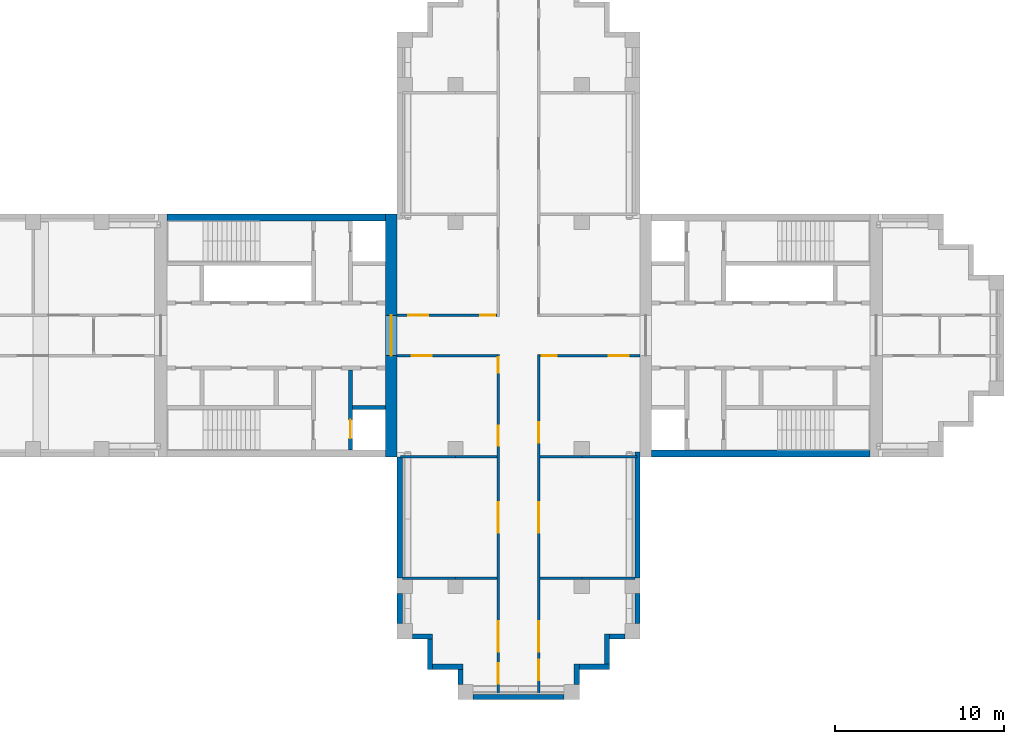
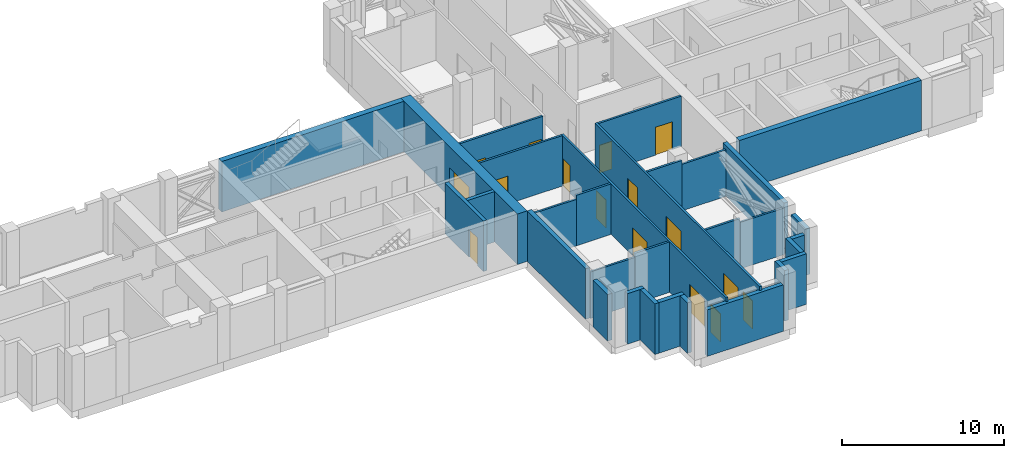
# One storey, part 4 of 8: 31 walls, 16 doors, 16 openings.
"""IFC4 building model written with IfcOpenShell, lengths in metres."""

from ifc_helpers import new_model, si_unit, direction, frame, frame_2d, origin, place, context, subcontext, project, spatial, rectangle, extrude, material, layer, layer_set, type_object, element, fill, save


model = new_model("IFC4")

# Units and contexts
model_context = context("Model", 3, precision=1e-05, world=origin(), true_north=direction((0.0, 1.0)))
body_context = subcontext(model_context, "Body", "Model", "MODEL_VIEW")
ifc_project = project(units=[si_unit("LENGTHUNIT", "METRE"), si_unit("AREAUNIT", "SQUARE_METRE"), si_unit("VOLUMEUNIT", "CUBIC_METRE"), si_unit("PLANEANGLEUNIT", "RADIAN"), si_unit("MASSUNIT", "GRAM", prefix="KILO")], contexts=[model_context])

# Site, building, storey
site_placement = place(None, origin())
site = spatial("IfcSite", under=ifc_project, at=site_placement, CompositionType="ELEMENT")
building_placement = place(site_placement, origin())
building = spatial("IfcBuilding", under=site, at=building_placement, Name="Fustian Cross Tower", CompositionType="ELEMENT")
storey_placement = place(building_placement, frame((0.0, 0.0, 194.699951171875)))
storey = spatial("IfcBuildingStorey", under=building, at=storey_placement, Name="L61", CompositionType="ELEMENT", Elevation=194.699951171875)

# Wall, opening, door
ifc_material_1 = material(Name="Plasterboard on steel stud", Category="steel")
ifc_layer_1 = layer(ifc_material_1, 0.14990234375)
ifc_layer_set_1 = layer_set([ifc_layer_1], Name="Plasterboard on steel stud")
wall_type_1 = type_object("IfcWallType", Name="COMPARTMENT WALL 150 EI 60", PredefinedType="PARTITIONING", material=ifc_layer_set_1)
wall_1_placement = place(storey_placement, frame((-7.199951171875, -1.199951171875, 0.0), z_axis=(0.0, 0.0, 1.0), x_axis=(1.0, 0.0, 0.0)))
wall_1 = element("IfcWall", 1, at=wall_1_placement, inside=storey, type_object=wall_type_1, Name="Partition 6", PredefinedType="PARTITIONING", context=body_context, shape_type="SweptSolid", body=[
    extrude(rectangle(XDim=5.925048828125, YDim=0.14990234375, at=frame_2d((2.96240234375, 0.0))), origin(), (0.0, 0.0, 1.0), 3.800048828125),
])
opening_1_placement = place(wall_1_placement, frame((0.85009765625, 0.0, 0.0)))
opening_1 = element("IfcOpeningElement", 2, at=opening_1_placement, cuts=wall_1, Name="Opening D28007", PredefinedType="OPENING", context=body_context, shape_type="SweptSolid", body=[
    extrude(rectangle(XDim=1.199951171875, YDim=2.10009765625, at=frame_2d((0.60009765625, 1.050048828125))), frame((0.0, 0.0849609375, 0.0), z_axis=(0.0, -1.0, 0.0), x_axis=(1.0, 0.0, 0.0)), (0.0, 0.0, 1.0), 0.169921875),
])
ifc_material_2 = material(Name="Timber fire door set", Category="wood")
door_type_1 = type_object("IfcDoorType", Name="FIRE SWING DOOR 1200 FD30S", OperationType="SINGLE_SWING_LEFT", PredefinedType="DOOR", material=ifc_material_2)
door_1_placement = place(opening_1_placement, frame((1.199951171875, 0.0, 0.0), z_axis=(0.0, 0.0, 1.0), x_axis=(-1.0, 0.0, 0.0)))
door_1 = element("IfcDoor", 3, at=door_1_placement, inside=storey, type_object=door_type_1, Name="Door D28007", OperationType="SINGLE_SWING_RIGHT", OverallHeight=2.10009765625, OverallWidth=1.199951171875, PredefinedType="DOOR", context=body_context, shape_type="SweptSolid", body=[
    extrude(rectangle(XDim=1.199951171875, YDim=2.10009765625, at=frame_2d((0.60009765625, 1.050048828125))), frame((0.0, 0.02490234375, 0.0), z_axis=(0.0, -1.0, 0.0), x_axis=(1.0, 0.0, 0.0)), (0.0, 0.0, 1.0), 0.050048828125),
])
fill(opening_1, door_1)

# Wall, openings, doors
wall_2_placement = place(storey_placement, frame((-7.199951171875, 1.199951171875, 0.0), z_axis=(0.0, 0.0, 1.0), x_axis=(1.0, 0.0, 0.0)))
wall_2 = element("IfcWall", 4, at=wall_2_placement, inside=storey, type_object=wall_type_1, Name="Partition 7", PredefinedType="PARTITIONING", context=body_context, shape_type="SweptSolid", body=[
    extrude(rectangle(XDim=5.925048828125, YDim=0.14990234375, at=frame_2d((2.96240234375, 0.0))), origin(), (0.0, 0.0, 1.0), 3.800048828125),
])
opening_2_placement = place(wall_2_placement, frame((0.64990234375, 0.0, 0.0)))
opening_2 = element("IfcOpeningElement", 5, at=opening_2_placement, cuts=wall_2, Name="Opening D28004", PredefinedType="OPENING", context=body_context, shape_type="SweptSolid", body=[
    extrude(rectangle(XDim=1.199951171875, YDim=2.10009765625, at=frame_2d((0.60009765625, 1.050048828125))), frame((0.0, 0.0849609375, 0.0), z_axis=(0.0, -1.0, 0.0), x_axis=(1.0, 0.0, 0.0)), (0.0, 0.0, 1.0), 0.169921875),
])
opening_3_placement = place(wall_2_placement, frame((4.925048828125, 0.0, 0.0)))
opening_3 = element("IfcOpeningElement", 6, at=opening_3_placement, cuts=wall_2, Name="Opening D28005", PredefinedType="OPENING", context=body_context, shape_type="SweptSolid", body=[
    extrude(rectangle(XDim=0.89990234375, YDim=2.10009765625, at=frame_2d((0.449951171875, 1.050048828125))), frame((0.0, 0.0849609375, 0.0), z_axis=(0.0, -1.0, 0.0), x_axis=(1.0, 0.0, 0.0)), (0.0, 0.0, 1.0), 0.169921875),
])
ifc_material_3 = material(Name="Timber fire door set", Category="wood")
door_type_2 = type_object("IfcDoorType", Name="FIRE SWING DOOR 1200 FD60S", OperationType="SINGLE_SWING_LEFT", PredefinedType="DOOR", material=ifc_material_3)
door_2_placement = place(opening_2_placement, frame((1.199951171875, 0.0, 0.0), z_axis=(0.0, 0.0, 1.0), x_axis=(-1.0, 0.0, 0.0)))
door_2 = element("IfcDoor", 7, at=door_2_placement, inside=storey, type_object=door_type_2, Name="Door D28004", OperationType="SINGLE_SWING_RIGHT", OverallHeight=2.10009765625, OverallWidth=1.199951171875, PredefinedType="DOOR", context=body_context, shape_type="SweptSolid", body=[
    extrude(rectangle(XDim=1.199951171875, YDim=2.10009765625, at=frame_2d((0.60009765625, 1.050048828125))), frame((0.0, 0.02490234375, 0.0), z_axis=(0.0, -1.0, 0.0), x_axis=(1.0, 0.0, 0.0)), (0.0, 0.0, 1.0), 0.050048828125),
])
fill(opening_2, door_2)
ifc_material_4 = material(Name="Timber fire door set", Category="wood")
door_type_3 = type_object("IfcDoorType", Name="FIRE SWING DOOR 900 FD30S", OperationType="SINGLE_SWING_LEFT", PredefinedType="DOOR", material=ifc_material_4)
door_3_placement = place(opening_3_placement, frame((0.89990234375, 0.0, 0.0), z_axis=(0.0, 0.0, 1.0), x_axis=(-1.0, 0.0, 0.0)))
door_3 = element("IfcDoor", 8, at=door_3_placement, inside=storey, type_object=door_type_3, Name="Door D28005", OperationType="SINGLE_SWING_RIGHT", OverallHeight=2.10009765625, OverallWidth=0.89990234375, PredefinedType="DOOR", context=body_context, shape_type="SweptSolid", body=[
    extrude(rectangle(XDim=0.89990234375, YDim=2.10009765625, at=frame_2d((0.449951171875, 1.050048828125))), frame((0.0, 0.02490234375, 0.0), z_axis=(0.0, -1.0, 0.0), x_axis=(1.0, 0.0, 0.0)), (0.0, 0.0, 1.0), 0.050048828125),
])
fill(opening_3, door_3)

# Walls
wall_3_placement = place(storey_placement, frame((-6.89990234375, -14.39990234375, 0.0), z_axis=(0.0, 0.0, 1.0), x_axis=(1.0, 0.0, 0.0)))
element("IfcWall", 9, at=wall_3_placement, inside=storey, type_object=wall_type_1, Name="Partition 8", PredefinedType="PARTITIONING", context=body_context, shape_type="SweptSolid", body=[
    extrude(rectangle(XDim=3.14990234375, YDim=0.14990234375, at=frame_2d((1.574951171875, 0.0))), origin(), (0.0, 0.0, 1.0), 3.5),
])
wall_4_placement = place(storey_placement, frame((-7.02001953125, -7.199951171875, 0.0), z_axis=(0.0, 0.0, 1.0), x_axis=(1.0, 0.0, 0.0)))
element("IfcWall", 10, at=wall_4_placement, inside=storey, type_object=wall_type_1, Name="Partition 9", PredefinedType="PARTITIONING", context=body_context, shape_type="SweptSolid", body=[
    extrude(rectangle(XDim=3.27001953125, YDim=0.14990234375, at=frame_2d((1.635009765625, 0.0))), origin(), (0.0, 0.0, 1.0), 3.5),
])

# Wall, openings, doors
wall_5_placement = place(storey_placement, frame((-1.199951171875, -21.419921875, 0.0), z_axis=(0.0, 0.0, 1.0), x_axis=(0.0, 1.0, 0.0)))
wall_5 = element("IfcWall", 11, at=wall_5_placement, inside=storey, type_object=wall_type_1, Name="Partition 12", PredefinedType="PARTITIONING", context=body_context, shape_type="SweptSolid", body=[
    extrude(rectangle(XDim=20.294921875, YDim=0.14990234375, at=frame_2d((10.1474609375, 0.0))), origin(), (0.0, 0.0, 1.0), 3.800048828125),
])
opening_4_placement = place(wall_5_placement, frame((14.8701171875, 0.0, 0.0)))
opening_4 = element("IfcOpeningElement", 12, at=opening_4_placement, cuts=wall_5, Name="Opening D28008", PredefinedType="OPENING", context=body_context, shape_type="SweptSolid", body=[
    extrude(rectangle(XDim=1.199951171875, YDim=2.10009765625, at=frame_2d((0.60009765625, 1.050048828125))), frame((0.0, 0.0849609375, 0.0), z_axis=(0.0, -1.0, 0.0), x_axis=(1.0, 0.0, 0.0)), (0.0, 0.0, 1.0), 0.169921875),
])
opening_5_placement = place(wall_5_placement, frame((19.219970703125, 0.0, 0.0)))
opening_5 = element("IfcOpeningElement", 13, at=opening_5_placement, cuts=wall_5, Name="Opening D28009", PredefinedType="OPENING", context=body_context, shape_type="SweptSolid", body=[
    extrude(rectangle(XDim=0.89990234375, YDim=2.10009765625, at=frame_2d((0.449951171875, 1.050048828125))), frame((0.0, 0.0849609375, 0.0), z_axis=(0.0, -1.0, 0.0), x_axis=(1.0, 0.0, 0.0)), (0.0, 0.0, 1.0), 0.169921875),
])
opening_6_placement = place(wall_5_placement, frame((9.719970703125, 0.0, 0.0)))
opening_6 = element("IfcOpeningElement", 14, at=opening_6_placement, cuts=wall_5, Name="Opening D28022", PredefinedType="OPENING", context=body_context, shape_type="SweptSolid", body=[
    extrude(rectangle(XDim=1.800048828125, YDim=2.10009765625, at=frame_2d((0.89990234375, 1.050048828125))), frame((0.0, 0.0849609375, 0.0), z_axis=(0.0, -1.0, 0.0), x_axis=(1.0, 0.0, 0.0)), (0.0, 0.0, 1.0), 0.169921875),
])
opening_7_placement = place(wall_5_placement, frame((0.77001953125, 0.0, 0.0)))
opening_7 = element("IfcOpeningElement", 15, at=opening_7_placement, cuts=wall_5, Name="Opening D28023", PredefinedType="OPENING", context=body_context, shape_type="SweptSolid", body=[
    extrude(rectangle(XDim=1.199951171875, YDim=2.10009765625, at=frame_2d((0.60009765625, 1.050048828125))), frame((0.0, 0.0849609375, 0.0), z_axis=(0.0, -1.0, 0.0), x_axis=(1.0, 0.0, 0.0)), (0.0, 0.0, 1.0), 0.169921875),
])
opening_8_placement = place(wall_5_placement, frame((2.669921875, 0.0, 0.0)))
opening_8 = element("IfcOpeningElement", 16, at=opening_8_placement, cuts=wall_5, Name="Opening D28024", PredefinedType="OPENING", context=body_context, shape_type="SweptSolid", body=[
    extrude(rectangle(XDim=1.800048828125, YDim=2.10009765625, at=frame_2d((0.89990234375, 1.050048828125))), frame((0.0, 0.0849609375, 0.0), z_axis=(0.0, -1.0, 0.0), x_axis=(1.0, 0.0, 0.0)), (0.0, 0.0, 1.0), 0.169921875),
])
ifc_material_5 = material(Name="Timber fire door set", Category="wood")
door_type_4 = type_object("IfcDoorType", Name="FIRE DOUBLE DOOR 1800 FD60S", OperationType="DOUBLE_DOOR_DOUBLE_SWING", PredefinedType="DOOR", material=ifc_material_5)
door_4_placement = place(opening_6_placement, frame((1.800048828125, 0.0, 0.0), z_axis=(0.0, 0.0, 1.0), x_axis=(-1.0, 0.0, 0.0)))
door_4 = element("IfcDoor", 17, at=door_4_placement, inside=storey, type_object=door_type_4, Name="Door D28022", OperationType="DOUBLE_DOOR_DOUBLE_SWING", OverallHeight=2.10009765625, OverallWidth=1.800048828125, PredefinedType="DOOR", context=body_context, shape_type="SweptSolid", body=[
    extrude(rectangle(XDim=1.800048828125, YDim=2.10009765625, at=frame_2d((0.89990234375, 1.050048828125))), frame((0.0, 0.02490234375, 0.0), z_axis=(0.0, -1.0, 0.0), x_axis=(1.0, 0.0, 0.0)), (0.0, 0.0, 1.0), 0.050048828125),
])
fill(opening_6, door_4)
door_5_placement = place(opening_8_placement, frame((1.800048828125, 0.0, 0.0), z_axis=(0.0, 0.0, 1.0), x_axis=(-1.0, 0.0, 0.0)))
door_5 = element("IfcDoor", 18, at=door_5_placement, inside=storey, type_object=door_type_4, Name="Door D28024", OperationType="DOUBLE_DOOR_DOUBLE_SWING", OverallHeight=2.10009765625, OverallWidth=1.800048828125, PredefinedType="DOOR", context=body_context, shape_type="SweptSolid", body=[
    extrude(rectangle(XDim=1.800048828125, YDim=2.10009765625, at=frame_2d((0.89990234375, 1.050048828125))), frame((0.0, 0.02490234375, 0.0), z_axis=(0.0, -1.0, 0.0), x_axis=(1.0, 0.0, 0.0)), (0.0, 0.0, 1.0), 0.050048828125),
])
fill(opening_8, door_5)
door_6_placement = place(opening_4_placement, origin())
door_6 = element("IfcDoor", 19, at=door_6_placement, inside=storey, type_object=door_type_1, Name="Door D28008", OperationType="SINGLE_SWING_LEFT", OverallHeight=2.10009765625, OverallWidth=1.199951171875, PredefinedType="DOOR", context=body_context, shape_type="SweptSolid", body=[
    extrude(rectangle(XDim=1.199951171875, YDim=2.10009765625, at=frame_2d((0.60009765625, 1.050048828125))), frame((0.0, 0.02490234375, 0.0), z_axis=(0.0, -1.0, 0.0), x_axis=(1.0, 0.0, 0.0)), (0.0, 0.0, 1.0), 0.050048828125),
])
fill(opening_4, door_6)
door_7_placement = place(opening_7_placement, origin())
door_7 = element("IfcDoor", 20, at=door_7_placement, inside=storey, type_object=door_type_2, Name="Door D28023", OperationType="SINGLE_SWING_LEFT", OverallHeight=2.10009765625, OverallWidth=1.199951171875, PredefinedType="DOOR", context=body_context, shape_type="SweptSolid", body=[
    extrude(rectangle(XDim=1.199951171875, YDim=2.10009765625, at=frame_2d((0.60009765625, 1.050048828125))), frame((0.0, 0.02490234375, 0.0), z_axis=(0.0, -1.0, 0.0), x_axis=(1.0, 0.0, 0.0)), (0.0, 0.0, 1.0), 0.050048828125),
])
fill(opening_7, door_7)
door_8_placement = place(opening_5_placement, origin())
door_8 = element("IfcDoor", 21, at=door_8_placement, inside=storey, type_object=door_type_3, Name="Door D28009", OperationType="SINGLE_SWING_RIGHT", OverallHeight=2.10009765625, OverallWidth=0.89990234375, PredefinedType="DOOR", context=body_context, shape_type="SweptSolid", body=[
    extrude(rectangle(XDim=0.89990234375, YDim=2.10009765625, at=frame_2d((0.449951171875, 1.050048828125))), frame((0.0, 0.02490234375, 0.0), z_axis=(0.0, -1.0, 0.0), x_axis=(1.0, 0.0, 0.0)), (0.0, 0.0, 1.0), 0.050048828125),
])
fill(opening_5, door_8)

wall_6_placement = place(storey_placement, frame((1.199951171875, -21.419921875, 0.0), z_axis=(0.0, 0.0, 1.0), x_axis=(0.0, 1.0, 0.0)))
wall_6 = element("IfcWall", 22, at=wall_6_placement, inside=storey, type_object=wall_type_1, Name="Partition 14", PredefinedType="PARTITIONING", context=body_context, shape_type="SweptSolid", body=[
    extrude(rectangle(XDim=20.294921875, YDim=0.14990234375, at=frame_2d((10.1474609375, 0.0))), origin(), (0.0, 0.0, 1.0), 3.800048828125),
])
opening_9_placement = place(wall_6_placement, frame((15.070068359375, 0.0, 0.0)))
opening_9 = element("IfcOpeningElement", 23, at=opening_9_placement, cuts=wall_6, Name="Opening D28010", PredefinedType="OPENING", context=body_context, shape_type="SweptSolid", body=[
    extrude(rectangle(XDim=1.199951171875, YDim=2.10009765625, at=frame_2d((0.60009765625, 1.050048828125))), frame((0.0, 0.0849609375, 0.0), z_axis=(0.0, -1.0, 0.0), x_axis=(1.0, 0.0, 0.0)), (0.0, 0.0, 1.0), 0.169921875),
])
opening_10_placement = place(wall_6_placement, frame((9.719970703125, 0.0, 0.0)))
opening_10 = element("IfcOpeningElement", 24, at=opening_10_placement, cuts=wall_6, Name="Opening D28019", PredefinedType="OPENING", context=body_context, shape_type="SweptSolid", body=[
    extrude(rectangle(XDim=1.800048828125, YDim=2.10009765625, at=frame_2d((0.89990234375, 1.050048828125))), frame((0.0, 0.0849609375, 0.0), z_axis=(0.0, -1.0, 0.0), x_axis=(1.0, 0.0, 0.0)), (0.0, 0.0, 1.0), 0.169921875),
])
opening_11_placement = place(wall_6_placement, frame((0.969970703125, 0.0, 0.0)))
opening_11 = element("IfcOpeningElement", 25, at=opening_11_placement, cuts=wall_6, Name="Opening D28020", PredefinedType="OPENING", context=body_context, shape_type="SweptSolid", body=[
    extrude(rectangle(XDim=1.199951171875, YDim=2.10009765625, at=frame_2d((0.60009765625, 1.050048828125))), frame((0.0, 0.0849609375, 0.0), z_axis=(0.0, -1.0, 0.0), x_axis=(1.0, 0.0, 0.0)), (0.0, 0.0, 1.0), 0.169921875),
])
opening_12_placement = place(wall_6_placement, frame((2.669921875, 0.0, 0.0)))
opening_12 = element("IfcOpeningElement", 26, at=opening_12_placement, cuts=wall_6, Name="Opening D28021", PredefinedType="OPENING", context=body_context, shape_type="SweptSolid", body=[
    extrude(rectangle(XDim=1.800048828125, YDim=2.10009765625, at=frame_2d((0.89990234375, 1.050048828125))), frame((0.0, 0.0849609375, 0.0), z_axis=(0.0, -1.0, 0.0), x_axis=(1.0, 0.0, 0.0)), (0.0, 0.0, 1.0), 0.169921875),
])
door_9_placement = place(opening_10_placement, origin())
door_9 = element("IfcDoor", 27, at=door_9_placement, inside=storey, type_object=door_type_4, Name="Door D28019", OperationType="DOUBLE_DOOR_DOUBLE_SWING", OverallHeight=2.10009765625, OverallWidth=1.800048828125, PredefinedType="DOOR", context=body_context, shape_type="SweptSolid", body=[
    extrude(rectangle(XDim=1.800048828125, YDim=2.10009765625, at=frame_2d((0.89990234375, 1.050048828125))), frame((0.0, 0.02490234375, 0.0), z_axis=(0.0, -1.0, 0.0), x_axis=(1.0, 0.0, 0.0)), (0.0, 0.0, 1.0), 0.050048828125),
])
fill(opening_10, door_9)
door_10_placement = place(opening_12_placement, origin())
door_10 = element("IfcDoor", 28, at=door_10_placement, inside=storey, type_object=door_type_4, Name="Door D28021", OperationType="DOUBLE_DOOR_DOUBLE_SWING", OverallHeight=2.10009765625, OverallWidth=1.800048828125, PredefinedType="DOOR", context=body_context, shape_type="SweptSolid", body=[
    extrude(rectangle(XDim=1.800048828125, YDim=2.10009765625, at=frame_2d((0.89990234375, 1.050048828125))), frame((0.0, 0.02490234375, 0.0), z_axis=(0.0, -1.0, 0.0), x_axis=(1.0, 0.0, 0.0)), (0.0, 0.0, 1.0), 0.050048828125),
])
fill(opening_12, door_10)
door_11_placement = place(opening_9_placement, origin())
door_11 = element("IfcDoor", 29, at=door_11_placement, inside=storey, type_object=door_type_2, Name="Door D28010", OperationType="SINGLE_SWING_LEFT", OverallHeight=2.10009765625, OverallWidth=1.199951171875, PredefinedType="DOOR", context=body_context, shape_type="SweptSolid", body=[
    extrude(rectangle(XDim=1.199951171875, YDim=2.10009765625, at=frame_2d((0.60009765625, 1.050048828125))), frame((0.0, 0.02490234375, 0.0), z_axis=(0.0, -1.0, 0.0), x_axis=(1.0, 0.0, 0.0)), (0.0, 0.0, 1.0), 0.050048828125),
])
fill(opening_9, door_11)
door_12_placement = place(opening_11_placement, origin())
door_12 = element("IfcDoor", 30, at=door_12_placement, inside=storey, type_object=door_type_2, Name="Door D28020", OperationType="SINGLE_SWING_LEFT", OverallHeight=2.10009765625, OverallWidth=1.199951171875, PredefinedType="DOOR", context=body_context, shape_type="SweptSolid", body=[
    extrude(rectangle(XDim=1.199951171875, YDim=2.10009765625, at=frame_2d((0.60009765625, 1.050048828125))), frame((0.0, 0.02490234375, 0.0), z_axis=(0.0, -1.0, 0.0), x_axis=(1.0, 0.0, 0.0)), (0.0, 0.0, 1.0), 0.050048828125),
])
fill(opening_11, door_12)

# Walls
for number, where, z_axis, x_axis, name in (
    (31, (1.27490234375, -14.39990234375, 0.0), (0.0, 0.0, 1.0), (1.0, 0.0, 0.0), "Partition 15"),
    (32, (1.27490234375, -7.199951171875, 0.0), (0.0, 0.0, 1.0), (1.0, 0.0, 0.0), "Partition 16"),
):
    element("IfcWall", number, at=place(storey_placement, frame(where, z_axis=z_axis, x_axis=x_axis)), inside=storey, type_object=wall_type_1, Name=name, PredefinedType="PARTITIONING", context=body_context, shape_type="SweptSolid", body=[
        extrude(rectangle(XDim=2.47509765625, YDim=0.14990234375, at=frame_2d((1.237548828125, 0.0))), origin(), (0.0, 0.0, 1.0), 3.800048828125),
    ])

# Wall, openings, doors
wall_7_placement = place(storey_placement, frame((1.27490234375, -1.199951171875, 0.0), z_axis=(0.0, 0.0, 1.0), x_axis=(1.0, 0.0, 0.0)))
wall_7 = element("IfcWall", 33, at=wall_7_placement, inside=storey, type_object=wall_type_1, Name="Partition 17", PredefinedType="PARTITIONING", context=body_context, shape_type="SweptSolid", body=[
    extrude(rectangle(XDim=5.925048828125, YDim=0.14990234375, at=frame_2d((2.96240234375, 0.0))), origin(), (0.0, 0.0, 1.0), 3.800048828125),
])
opening_13_placement = place(wall_7_placement, frame((0.10009765625, 0.0, 0.0)))
opening_13 = element("IfcOpeningElement", 34, at=opening_13_placement, cuts=wall_7, Name="Opening D28011", PredefinedType="OPENING", context=body_context, shape_type="SweptSolid", body=[
    extrude(rectangle(XDim=0.89990234375, YDim=2.10009765625, at=frame_2d((0.449951171875, 1.050048828125))), frame((0.0, 0.0849609375, 0.0), z_axis=(0.0, -1.0, 0.0), x_axis=(1.0, 0.0, 0.0)), (0.0, 0.0, 1.0), 0.169921875),
])
opening_14_placement = place(wall_7_placement, frame((4.074951171875, 0.0, 0.0)))
opening_14 = element("IfcOpeningElement", 35, at=opening_14_placement, cuts=wall_7, Name="Opening D28012", PredefinedType="OPENING", context=body_context, shape_type="SweptSolid", body=[
    extrude(rectangle(XDim=1.199951171875, YDim=2.10009765625, at=frame_2d((0.60009765625, 1.050048828125))), frame((0.0, 0.0849609375, 0.0), z_axis=(0.0, -1.0, 0.0), x_axis=(1.0, 0.0, 0.0)), (0.0, 0.0, 1.0), 0.169921875),
])
door_13_placement = place(opening_14_placement, frame((1.199951171875, 0.0, 0.0), z_axis=(0.0, 0.0, 1.0), x_axis=(-1.0, 0.0, 0.0)))
door_13 = element("IfcDoor", 36, at=door_13_placement, inside=storey, type_object=door_type_2, Name="Door D28012", OperationType="SINGLE_SWING_LEFT", OverallHeight=2.10009765625, OverallWidth=1.199951171875, PredefinedType="DOOR", context=body_context, shape_type="SweptSolid", body=[
    extrude(rectangle(XDim=1.199951171875, YDim=2.10009765625, at=frame_2d((0.60009765625, 1.050048828125))), frame((0.0, 0.02490234375, 0.0), z_axis=(0.0, -1.0, 0.0), x_axis=(1.0, 0.0, 0.0)), (0.0, 0.0, 1.0), 0.050048828125),
])
fill(opening_14, door_13)
door_14_placement = place(opening_13_placement, origin())
door_14 = element("IfcDoor", 37, at=door_14_placement, inside=storey, type_object=door_type_3, Name="Door D28011", OperationType="SINGLE_SWING_RIGHT", OverallHeight=2.10009765625, OverallWidth=0.89990234375, PredefinedType="DOOR", context=body_context, shape_type="SweptSolid", body=[
    extrude(rectangle(XDim=0.89990234375, YDim=2.10009765625, at=frame_2d((0.449951171875, 1.050048828125))), frame((0.0, 0.02490234375, 0.0), z_axis=(0.0, -1.0, 0.0), x_axis=(1.0, 0.0, 0.0)), (0.0, 0.0, 1.0), 0.050048828125),
])
fill(opening_13, door_14)

# Walls
for number, where, z_axis, x_axis, name in (
    (38, (-3.75, -14.39990234375, 0.0), (0.0, 0.0, 1.0), (1.0, 0.0, 0.0), "Partition 8"),
    (39, (-3.75, -7.199951171875, 0.0), (0.0, 0.0, 1.0), (1.0, 0.0, 0.0), "Partition 9"),
):
    element("IfcWall", number, at=place(storey_placement, frame(where, z_axis=z_axis, x_axis=x_axis)), inside=storey, type_object=wall_type_1, Name=name, PredefinedType="PARTITIONING", context=body_context, shape_type="SweptSolid", body=[
        extrude(rectangle(XDim=2.47509765625, YDim=0.14990234375, at=frame_2d((1.237548828125, 0.0))), origin(), (0.0, 0.0, 1.0), 3.800048828125),
    ])
wall_8_placement = place(storey_placement, frame((3.75, -14.39990234375, 0.0), z_axis=(0.0, 0.0, 1.0), x_axis=(1.0, 0.0, 0.0)))
element("IfcWall", 40, at=wall_8_placement, inside=storey, type_object=wall_type_1, Name="Partition 15", PredefinedType="PARTITIONING", context=body_context, shape_type="SweptSolid", body=[
    extrude(rectangle(XDim=3.14990234375, YDim=0.14990234375, at=frame_2d((1.574951171875, 0.0))), origin(), (0.0, 0.0, 1.0), 3.5),
])
wall_9_placement = place(storey_placement, frame((3.75, -7.199951171875, 0.0), z_axis=(0.0, 0.0, 1.0), x_axis=(1.0, 0.0, 0.0)))
element("IfcWall", 41, at=wall_9_placement, inside=storey, type_object=wall_type_1, Name="Partition 16", PredefinedType="PARTITIONING", context=body_context, shape_type="SweptSolid", body=[
    extrude(rectangle(XDim=3.27001953125, YDim=0.14990234375, at=frame_2d((1.635009765625, 0.0))), origin(), (0.0, 0.0, 1.0), 3.5),
])

# Wall, opening, door
ifc_material_6 = material(Name="Concrete C50/60", Category="concrete")
ifc_layer_2 = layer(ifc_material_6, 0.699951171875)
ifc_layer_set_2 = layer_set([ifc_layer_2], Name="Concrete C50/60")
wall_type_2 = type_object("IfcWallType", Name="CORE END WALL 700 C50/60", PredefinedType="SHEAR", material=ifc_layer_set_2)
wall_10_placement = place(storey_placement, frame((-7.550048828125, -7.199951171875, 0.0), z_axis=(0.0, 0.0, 1.0), x_axis=(0.0, 1.0, 0.0)))
wall_10 = element("IfcWall", 42, at=wall_10_placement, inside=storey, type_object=wall_type_2, Name="Core end wall", PredefinedType="SHEAR", context=body_context, shape_type="SweptSolid", body=[
    extrude(rectangle(XDim=14.39990234375, YDim=0.699951171875, at=frame_2d((7.199951171875, 0.0))), origin(), (0.0, 0.0, 1.0), 3.800048828125),
])
opening_15_placement = place(wall_10_placement, frame((6.0, 0.0, 0.0)))
opening_15 = element("IfcOpeningElement", 43, at=opening_15_placement, cuts=wall_10, Name="Opening CD-26-29", PredefinedType="OPENING", context=body_context, shape_type="SweptSolid", body=[
    extrude(rectangle(XDim=2.39990234375, YDim=2.199951171875, at=frame_2d((1.199951171875, 1.10009765625))), frame((0.0, 0.35986328125, 0.0), z_axis=(0.0, -1.0, 0.0), x_axis=(1.0, 0.0, 0.0)), (0.0, 0.0, 1.0), 0.719970703125),
])
ifc_material_7 = material(Name="Steel", Category="steel")
door_type_5 = type_object("IfcDoorType", Name="FIRE DOOR FD30S DOUBLE 2400X2200", OperationType="DOUBLE_DOOR_DOUBLE_SWING", PredefinedType="DOOR", material=ifc_material_7)
door_15_placement = place(opening_15_placement, origin())
door_15 = element("IfcDoor", 44, at=door_15_placement, inside=storey, type_object=door_type_5, Name="Core door CD-26-29", OperationType="DOUBLE_DOOR_DOUBLE_SWING", OverallHeight=2.199951171875, OverallWidth=2.39990234375, PredefinedType="DOOR", context=body_context, shape_type="SweptSolid", body=[
    extrude(rectangle(XDim=2.39990234375, YDim=2.199951171875, at=frame_2d((1.199951171875, 1.10009765625))), frame((0.0, 0.02490234375, 0.0), z_axis=(0.0, -1.0, 0.0), x_axis=(1.0, 0.0, 0.0)), (0.0, 0.0, 1.0), 0.050048828125),
])
fill(opening_15, door_15)

# Walls
ifc_material_8 = material(Name="Concrete C50/60", Category="concrete")
ifc_layer_3 = layer(ifc_material_8, 0.39990234375)
ifc_layer_set_3 = layer_set([ifc_layer_3], Name="Concrete C50/60")
wall_type_3 = type_object("IfcWallType", Name="CORE FACADE WALL 400 C50/60", PredefinedType="SHEAR", material=ifc_layer_set_3)
for number, where, z_axis, x_axis, name in (
    (45, (7.89990234375, -7.0, 0.0), (0.0, 0.0, 1.0), (1.0, 0.0, 0.0), "Core facade wall"),
    (46, (-7.89990234375, 7.0, 0.0), (0.0, 0.0, 1.0), (-1.0, 0.0, 0.0), "Core facade wall"),
):
    element("IfcWall", number, at=place(storey_placement, frame(where, z_axis=z_axis, x_axis=x_axis)), inside=storey, type_object=wall_type_3, Name=name, PredefinedType="SHEAR", context=body_context, shape_type="SweptSolid", body=[
        extrude(rectangle(XDim=12.9501953125, YDim=0.39990234375, at=frame_2d((6.47509765625, 0.0))), origin(), (0.0, 0.0, 1.0), 3.800048828125),
    ])
ifc_material_9 = material(Name="Concrete C50/60", Category="concrete")
ifc_layer_4 = layer(ifc_material_9, 0.25)
ifc_layer_set_4 = layer_set([ifc_layer_4], Name="Concrete C50/60")
wall_type_4 = type_object("IfcWallType", Name="CORE SHAFT WALL 250 C50/60", PredefinedType="SHEAR", material=ifc_layer_set_4)
wall_11_placement = place(storey_placement, frame((-7.89990234375, -4.27490234375, 0.0), z_axis=(0.0, 0.0, 1.0), x_axis=(-1.0, 0.0, 0.0)))
element("IfcWall", 47, at=wall_11_placement, inside=storey, type_object=wall_type_4, Name="Core shaft wall", PredefinedType="SHEAR", context=body_context, shape_type="SweptSolid", body=[
    extrude(rectangle(XDim=1.9501953125, YDim=0.25, at=frame_2d((0.97509765625, 0.0))), origin(), (0.0, 0.0, 1.0), 3.800048828125),
])

# Wall, opening, door
wall_12_placement = place(storey_placement, frame((-9.97509765625, -2.050048828125, 0.0), z_axis=(0.0, 0.0, 1.0), x_axis=(0.0, -1.0, 0.0)))
wall_12 = element("IfcWall", 48, at=wall_12_placement, inside=storey, type_object=wall_type_4, Name="Core shaft wall", PredefinedType="SHEAR", context=body_context, shape_type="SweptSolid", body=[
    extrude(rectangle(XDim=4.75, YDim=0.25, at=frame_2d((2.375, 0.0))), origin(), (0.0, 0.0, 1.0), 3.800048828125),
])
opening_16_placement = place(wall_12_placement, frame((2.949951171875, 0.0, 0.0)))
opening_16 = element("IfcOpeningElement", 49, at=opening_16_placement, cuts=wall_12, Name="Opening LD", PredefinedType="OPENING", context=body_context, shape_type="SweptSolid", body=[
    extrude(rectangle(XDim=1.10009765625, YDim=2.10009765625, at=frame_2d((0.550048828125, 1.050048828125))), frame((0.0, 0.135009765625, 0.0), z_axis=(0.0, -1.0, 0.0), x_axis=(1.0, 0.0, 0.0)), (0.0, 0.0, 1.0), 0.27001953125),
])
ifc_material_10 = material(Name="Stainless steel", Category="steel")
door_type_6 = type_object("IfcDoorType", Name="LIFT LANDING DOOR 1100X2100", OperationType="SLIDING_TO_LEFT", PredefinedType="DOOR", material=ifc_material_10)
door_16_placement = place(opening_16_placement, origin())
door_16 = element("IfcDoor", 50, at=door_16_placement, inside=storey, type_object=door_type_6, Name="Landing door SV1W", OperationType="SLIDING_TO_LEFT", OverallHeight=2.10009765625, OverallWidth=1.10009765625, PredefinedType="DOOR", context=body_context, shape_type="SweptSolid", body=[
    extrude(rectangle(XDim=1.10009765625, YDim=2.10009765625, at=frame_2d((0.550048828125, 1.050048828125))), frame((0.0, 0.02490234375, 0.0), z_axis=(0.0, -1.0, 0.0), x_axis=(1.0, 0.0, 0.0)), (0.0, 0.0, 1.0), 0.050048828125),
])
fill(opening_16, door_16)

# Walls
ifc_material_11 = material(Name="Dark aluminium louvres on insulated backing wall", Category="aluminium")
ifc_layer_5 = layer(ifc_material_11, 0.300048828125)
ifc_layer_set_5 = layer_set([ifc_layer_5], Name="Dark aluminium louvres on insulated backing wall")
wall_type_5 = type_object("IfcWallType", Name="XW2 LOUVRED PLANT WALL 300", PredefinedType="SOLIDWALL", material=ifc_layer_set_5)
wall_13_placement = place(storey_placement, frame((-7.050048828125, -7.199951171875, 0.0), z_axis=(0.0, 0.0, 1.0), x_axis=(0.0, -1.0, 0.0)))
element("IfcWall", 51, at=wall_13_placement, inside=storey, type_object=wall_type_5, Name="Plant louvre wall", PredefinedType="SOLIDWALL", context=body_context, shape_type="SweptSolid", body=[
    extrude(rectangle(XDim=7.199951171875, YDim=0.300048828125, at=frame_2d((3.60009765625, 0.0))), origin(), (0.0, 0.0, 1.0), 3.800048828125),
])
wall_14_placement = place(storey_placement, frame((-7.050048828125, -15.300048828125, 0.0), z_axis=(0.0, 0.0, 1.0), x_axis=(0.0, -1.0, 0.0)))
element("IfcWall", 52, at=wall_14_placement, inside=storey, type_object=wall_type_5, Name="Plant louvre wall", PredefinedType="SOLIDWALL", context=body_context, shape_type="SweptSolid", body=[
    extrude(rectangle(XDim=1.800048828125, YDim=0.300048828125, at=frame_2d((0.89990234375, 0.0))), origin(), (0.0, 0.0, 1.0), 3.5),
])
wall_15_placement = place(storey_placement, frame((-6.300048828125, -17.85009765625, 0.0), z_axis=(0.0, 0.0, 1.0), x_axis=(1.0, 0.0, 0.0)))
element("IfcWall", 53, at=wall_15_placement, inside=storey, type_object=wall_type_5, Name="Plant louvre wall", PredefinedType="SOLIDWALL", context=body_context, shape_type="SweptSolid", body=[
    extrude(rectangle(XDim=1.199951171875, YDim=0.300048828125, at=frame_2d((0.60009765625, 0.0))), origin(), (0.0, 0.0, 1.0), 3.800048828125),
])
for number, where, z_axis, x_axis, name in (
    (54, (-5.25, -18.0, 0.0), (0.0, 0.0, 1.0), (0.0, -1.0, 0.0), "Plant louvre wall"),
    (55, (-5.10009765625, -19.64990234375, 0.0), (0.0, 0.0, 1.0), (1.0, 0.0, 0.0), "Plant louvre wall"),
):
    element("IfcWall", number, at=place(storey_placement, frame(where, z_axis=z_axis, x_axis=x_axis)), inside=storey, type_object=wall_type_5, Name=name, PredefinedType="SOLIDWALL", context=body_context, shape_type="SweptSolid", body=[
        extrude(rectangle(XDim=1.800048828125, YDim=0.300048828125, at=frame_2d((0.89990234375, 0.0))), origin(), (0.0, 0.0, 1.0), 3.800048828125),
    ])
wall_16_placement = place(storey_placement, frame((-3.449951171875, -19.800048828125, 0.0), z_axis=(0.0, 0.0, 1.0), x_axis=(0.0, -1.0, 0.0)))
element("IfcWall", 56, at=wall_16_placement, inside=storey, type_object=wall_type_5, Name="Plant louvre wall", PredefinedType="SOLIDWALL", context=body_context, shape_type="SweptSolid", body=[
    extrude(rectangle(XDim=0.89990234375, YDim=0.300048828125, at=frame_2d((0.449951171875, 0.0))), origin(), (0.0, 0.0, 1.0), 3.800048828125),
])
wall_17_placement = place(storey_placement, frame((-2.699951171875, -21.449951171875, 0.0), z_axis=(0.0, 0.0, 1.0), x_axis=(1.0, 0.0, 0.0)))
element("IfcWall", 57, at=wall_17_placement, inside=storey, type_object=wall_type_5, Name="Plant louvre wall", PredefinedType="SOLIDWALL", context=body_context, shape_type="SweptSolid", body=[
    extrude(rectangle(XDim=5.39990234375, YDim=0.300048828125, at=frame_2d((2.699951171875, 0.0))), origin(), (0.0, 0.0, 1.0), 3.5),
])
wall_18_placement = place(storey_placement, frame((3.449951171875, -20.699951171875, 0.0), z_axis=(0.0, 0.0, 1.0), x_axis=(0.0, 1.0, 0.0)))
element("IfcWall", 58, at=wall_18_placement, inside=storey, type_object=wall_type_5, Name="Plant louvre wall", PredefinedType="SOLIDWALL", context=body_context, shape_type="SweptSolid", body=[
    extrude(rectangle(XDim=1.199951171875, YDim=0.300048828125, at=frame_2d((0.60009765625, 0.0))), origin(), (0.0, 0.0, 1.0), 3.800048828125),
])
wall_19_placement = place(storey_placement, frame((3.60009765625, -19.64990234375, 0.0), z_axis=(0.0, 0.0, 1.0), x_axis=(1.0, 0.0, 0.0)))
element("IfcWall", 59, at=wall_19_placement, inside=storey, type_object=wall_type_5, Name="Plant louvre wall", PredefinedType="SOLIDWALL", context=body_context, shape_type="SweptSolid", body=[
    extrude(rectangle(XDim=1.7998046875, YDim=0.300048828125, at=frame_2d((0.89990234375, 0.0))), origin(), (0.0, 0.0, 1.0), 3.800048828125),
])
wall_20_placement = place(storey_placement, frame((5.25, -19.5, 0.0), z_axis=(0.0, 0.0, 1.0), x_axis=(0.0, 1.0, 0.0)))
element("IfcWall", 60, at=wall_20_placement, inside=storey, type_object=wall_type_5, Name="Plant louvre wall", PredefinedType="SOLIDWALL", context=body_context, shape_type="SweptSolid", body=[
    extrude(rectangle(XDim=1.800048828125, YDim=0.300048828125, at=frame_2d((0.89990234375, 0.0))), origin(), (0.0, 0.0, 1.0), 3.800048828125),
])
wall_21_placement = place(storey_placement, frame((5.39990234375, -17.85009765625, 0.0), z_axis=(0.0, 0.0, 1.0), x_axis=(1.0, 0.0, 0.0)))
element("IfcWall", 61, at=wall_21_placement, inside=storey, type_object=wall_type_5, Name="Plant louvre wall", PredefinedType="SOLIDWALL", context=body_context, shape_type="SweptSolid", body=[
    extrude(rectangle(XDim=0.900146484375, YDim=0.300048828125, at=frame_2d((0.4501953125, 0.0))), origin(), (0.0, 0.0, 1.0), 3.800048828125),
])
wall_22_placement = place(storey_placement, frame((7.050048828125, -17.10009765625, 0.0), z_axis=(0.0, 0.0, 1.0), x_axis=(0.0, 1.0, 0.0)))
element("IfcWall", 62, at=wall_22_placement, inside=storey, type_object=wall_type_5, Name="Plant louvre wall", PredefinedType="SOLIDWALL", context=body_context, shape_type="SweptSolid", body=[
    extrude(rectangle(XDim=1.800048828125, YDim=0.300048828125, at=frame_2d((0.89990234375, 0.0))), origin(), (0.0, 0.0, 1.0), 3.5),
])
wall_23_placement = place(storey_placement, frame((7.050048828125, -14.39990234375, 0.0), z_axis=(0.0, 0.0, 1.0), x_axis=(0.0, 1.0, 0.0)))
element("IfcWall", 63, at=wall_23_placement, inside=storey, type_object=wall_type_5, Name="Plant louvre wall", PredefinedType="SOLIDWALL", context=body_context, shape_type="SweptSolid", body=[
    extrude(rectangle(XDim=7.5, YDim=0.300048828125, at=frame_2d((3.75, 0.0))), origin(), (0.0, 0.0, 1.0), 3.800048828125),
])

save(model, "model.ifc")
